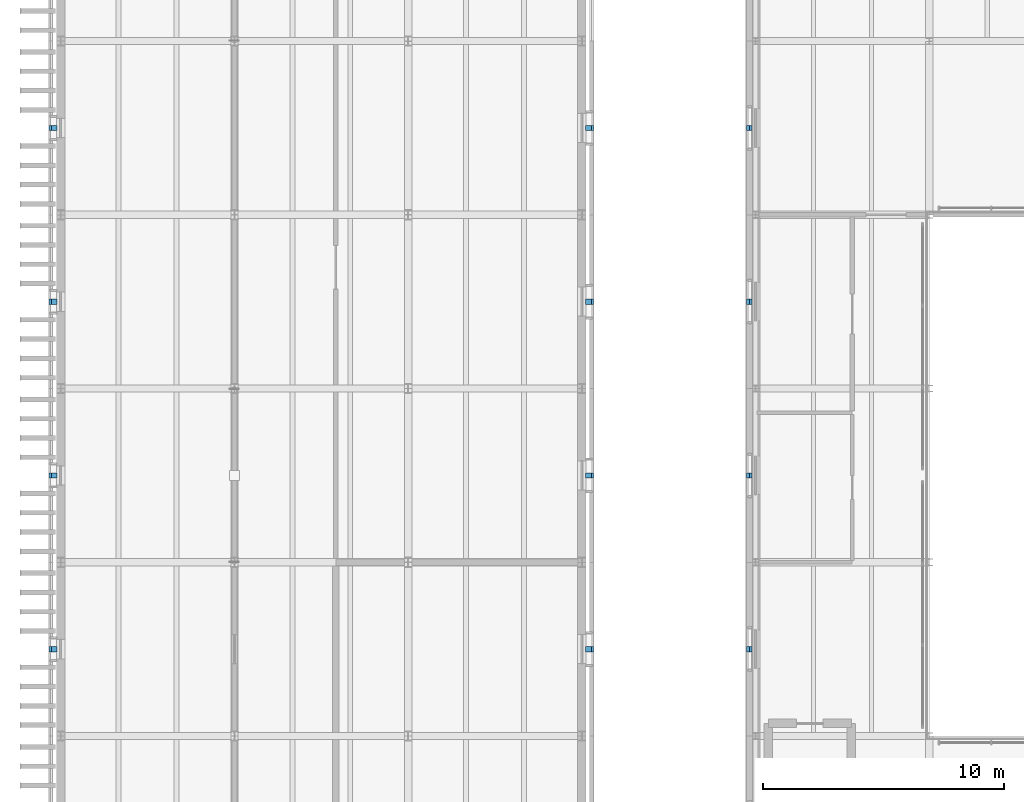
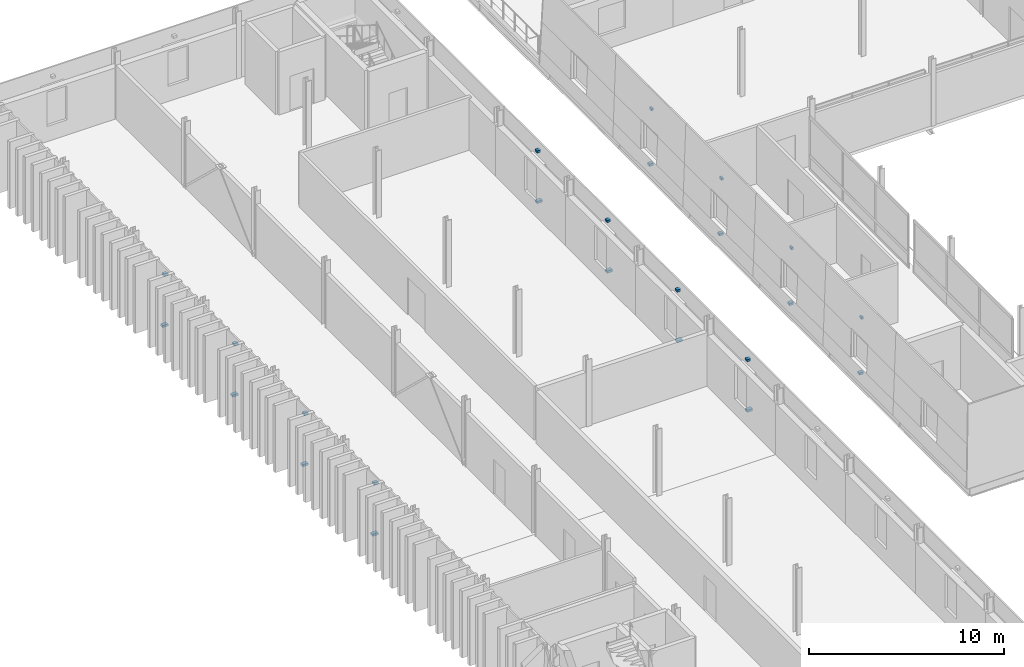
# One storey, part 53 of 66: 24 discrete accessories.
"""IFC4 building model written with IfcOpenShell, lengths in metres."""

from ifc_helpers import new_model, si_unit, direction, frame, origin, origin_2d, place, context, subcontext, project, spatial, rectangle, extrude, material, layer, layer_set, type_object, element, save


model = new_model("IFC4")

# Units and contexts
model_context = context("Model", 3, precision=1e-05, world=origin(), true_north=direction((0.0, 1.0)))
body_context = subcontext(model_context, "Body", "Model", "MODEL_VIEW")
ifc_project = project(units=[si_unit("LENGTHUNIT", "METRE"), si_unit("AREAUNIT", "SQUARE_METRE"), si_unit("VOLUMEUNIT", "CUBIC_METRE"), si_unit("PLANEANGLEUNIT", "RADIAN"), si_unit("MASSUNIT", "GRAM", prefix="KILO")], contexts=[model_context])

# Site, building, storey
site_placement = place(None, origin())
site = spatial("IfcSite", under=ifc_project, at=site_placement, CompositionType="ELEMENT")
building_placement = place(site_placement, origin())
building = spatial("IfcBuilding", under=site, at=building_placement, Name="Narikvali Park Central Library", CompositionType="ELEMENT")
storey_placement = place(building_placement, frame((0.0, 0.0, 18.60009765625)))
storey = spatial("IfcBuildingStorey", under=building, at=storey_placement, Name="L04", CompositionType="ELEMENT", Elevation=18.60009765625)

# Discrete accessories
ifc_material = material(Name="Brushed Stainless Steel S355", Category="steel")
ifc_layer = layer(ifc_material, 0.139892578125, Name="Brushed Stainless Steel S355")
ifc_layer_set = layer_set([ifc_layer], Name="Brushed Stainless Steel S355")
discrete_accessory_type = type_object("IfcDiscreteAccessoryType", Name="Cladding Stainless Tie-Back Corbel Bracket", PredefinedType="BRACKET", material=ifc_layer_set)
discrete_accessory_1_placement = place(storey_placement, frame((28.5361328125, 90.0, 0.40478515625), z_axis=(0.0, 0.0, 1.0), x_axis=(1.0, 0.0, 0.0)))
element("IfcDiscreteAccessory", 1, at=discrete_accessory_1_placement, inside=storey, type_object=discrete_accessory_type, Name="Limestone Cladding Tie-Back Bracket V4-CLD-L04-W-B02-SP", PredefinedType="BRACKET", context=body_context, shape_type="SweptSolid", body=[
    extrude(rectangle(XDim=0.2275390625, YDim=0.219970703125, at=origin_2d()), origin(), (0.0, 0.0, 1.0), 0.139892578125),
])
discrete_accessory_2_placement = place(storey_placement, frame((28.594482421875, 90.0, 3.85498046875), z_axis=(0.0, 0.0, 1.0), x_axis=(1.0, 0.0, 0.0)))
element("IfcDiscreteAccessory", 2, at=discrete_accessory_2_placement, inside=storey, type_object=discrete_accessory_type, Name="Limestone Cladding Tie-Back Bracket V4-CLD-L04-W-B02-LN", PredefinedType="BRACKET", context=body_context, shape_type="SweptSolid", body=[
    extrude(rectangle(XDim=0.111083984375, YDim=0.219970703125, at=origin_2d()), origin(), (0.0, 0.0, 1.0), 0.139892578125),
])
discrete_accessory_3_placement = place(storey_placement, frame((28.5361328125, 82.800048828125, 0.40478515625), z_axis=(0.0, 0.0, 1.0), x_axis=(1.0, 0.0, 0.0)))
element("IfcDiscreteAccessory", 3, at=discrete_accessory_3_placement, inside=storey, type_object=discrete_accessory_type, Name="Limestone Cladding Tie-Back Bracket V4-CLD-L04-W-B03-SP", PredefinedType="BRACKET", context=body_context, shape_type="SweptSolid", body=[
    extrude(rectangle(XDim=0.2275390625, YDim=0.219970703125, at=origin_2d()), origin(), (0.0, 0.0, 1.0), 0.139892578125),
])
discrete_accessory_4_placement = place(storey_placement, frame((28.594482421875, 82.800048828125, 3.85498046875), z_axis=(0.0, 0.0, 1.0), x_axis=(1.0, 0.0, 0.0)))
element("IfcDiscreteAccessory", 4, at=discrete_accessory_4_placement, inside=storey, type_object=discrete_accessory_type, Name="Limestone Cladding Tie-Back Bracket V4-CLD-L04-W-B03-LN", PredefinedType="BRACKET", context=body_context, shape_type="SweptSolid", body=[
    extrude(rectangle(XDim=0.111083984375, YDim=0.219970703125, at=origin_2d()), origin(), (0.0, 0.0, 1.0), 0.139892578125),
])
discrete_accessory_5_placement = place(storey_placement, frame((28.5361328125, 75.60009765625, 0.40478515625), z_axis=(0.0, 0.0, 1.0), x_axis=(1.0, 0.0, 0.0)))
element("IfcDiscreteAccessory", 5, at=discrete_accessory_5_placement, inside=storey, type_object=discrete_accessory_type, Name="Limestone Cladding Tie-Back Bracket V4-CLD-L04-W-B04-SP", PredefinedType="BRACKET", context=body_context, shape_type="SweptSolid", body=[
    extrude(rectangle(XDim=0.2275390625, YDim=0.219970703125, at=origin_2d()), origin(), (0.0, 0.0, 1.0), 0.139892578125),
])
discrete_accessory_6_placement = place(storey_placement, frame((28.594482421875, 75.60009765625, 3.85498046875), z_axis=(0.0, 0.0, 1.0), x_axis=(1.0, 0.0, 0.0)))
element("IfcDiscreteAccessory", 6, at=discrete_accessory_6_placement, inside=storey, type_object=discrete_accessory_type, Name="Limestone Cladding Tie-Back Bracket V4-CLD-L04-W-B04-LN", PredefinedType="BRACKET", context=body_context, shape_type="SweptSolid", body=[
    extrude(rectangle(XDim=0.111083984375, YDim=0.219970703125, at=origin_2d()), origin(), (0.0, 0.0, 1.0), 0.139892578125),
])
discrete_accessory_7_placement = place(storey_placement, frame((28.5361328125, 68.39990234375, 0.40478515625), z_axis=(0.0, 0.0, 1.0), x_axis=(1.0, 0.0, 0.0)))
element("IfcDiscreteAccessory", 7, at=discrete_accessory_7_placement, inside=storey, type_object=discrete_accessory_type, Name="Limestone Cladding Tie-Back Bracket V4-CLD-L04-W-B05-SP", PredefinedType="BRACKET", context=body_context, shape_type="SweptSolid", body=[
    extrude(rectangle(XDim=0.2275390625, YDim=0.219970703125, at=origin_2d()), origin(), (0.0, 0.0, 1.0), 0.139892578125),
])
discrete_accessory_8_placement = place(storey_placement, frame((28.594482421875, 68.39990234375, 3.85498046875), z_axis=(0.0, 0.0, 1.0), x_axis=(1.0, 0.0, 0.0)))
element("IfcDiscreteAccessory", 8, at=discrete_accessory_8_placement, inside=storey, type_object=discrete_accessory_type, Name="Limestone Cladding Tie-Back Bracket V4-CLD-L04-W-B05-LN", PredefinedType="BRACKET", context=body_context, shape_type="SweptSolid", body=[
    extrude(rectangle(XDim=0.111083984375, YDim=0.219970703125, at=origin_2d()), origin(), (0.0, 0.0, 1.0), 0.139892578125),
])
discrete_accessory_9_placement = place(storey_placement, frame((21.914306640625, 68.39990234375, 0.40478515625), z_axis=(0.0, 0.0, 1.0), x_axis=(1.0, 0.0, 0.0)))
element("IfcDiscreteAccessory", 9, at=discrete_accessory_9_placement, inside=storey, type_object=discrete_accessory_type, Name="Limestone Cladding Tie-Back Bracket V5-CLD-L04-E-B05-SP", PredefinedType="BRACKET", context=body_context, shape_type="SweptSolid", body=[
    extrude(rectangle(XDim=0.328857421875, YDim=0.219970703125, at=origin_2d()), origin(), (0.0, 0.0, 1.0), 0.139892578125),
])
discrete_accessory_10_placement = place(storey_placement, frame((21.869384765625, 68.39990234375, 3.580078125), z_axis=(0.0, 0.0, 1.0), x_axis=(1.0, 0.0, 0.0)))
element("IfcDiscreteAccessory", 10, at=discrete_accessory_10_placement, inside=storey, type_object=discrete_accessory_type, Name="Limestone Cladding Tie-Back Bracket V5-CLD-L04-E-B05-LN", PredefinedType="BRACKET", context=body_context, shape_type="SweptSolid", body=[
    extrude(rectangle(XDim=0.23876953125, YDim=0.219970703125, at=origin_2d()), origin(), (0.0, 0.0, 1.0), 0.139892578125),
])
discrete_accessory_11_placement = place(storey_placement, frame((21.914306640625, 75.60009765625, 0.40478515625), z_axis=(0.0, 0.0, 1.0), x_axis=(1.0, 0.0, 0.0)))
element("IfcDiscreteAccessory", 11, at=discrete_accessory_11_placement, inside=storey, type_object=discrete_accessory_type, Name="Limestone Cladding Tie-Back Bracket V5-CLD-L04-E-B06-SP", PredefinedType="BRACKET", context=body_context, shape_type="SweptSolid", body=[
    extrude(rectangle(XDim=0.328857421875, YDim=0.219970703125, at=origin_2d()), origin(), (0.0, 0.0, 1.0), 0.139892578125),
])
discrete_accessory_12_placement = place(storey_placement, frame((21.869384765625, 75.60009765625, 3.580078125), z_axis=(0.0, 0.0, 1.0), x_axis=(1.0, 0.0, 0.0)))
element("IfcDiscreteAccessory", 12, at=discrete_accessory_12_placement, inside=storey, type_object=discrete_accessory_type, Name="Limestone Cladding Tie-Back Bracket V5-CLD-L04-E-B06-LN", PredefinedType="BRACKET", context=body_context, shape_type="SweptSolid", body=[
    extrude(rectangle(XDim=0.23876953125, YDim=0.219970703125, at=origin_2d()), origin(), (0.0, 0.0, 1.0), 0.139892578125),
])
discrete_accessory_13_placement = place(storey_placement, frame((21.914306640625, 82.800048828125, 0.40478515625), z_axis=(0.0, 0.0, 1.0), x_axis=(1.0, 0.0, 0.0)))
element("IfcDiscreteAccessory", 13, at=discrete_accessory_13_placement, inside=storey, type_object=discrete_accessory_type, Name="Limestone Cladding Tie-Back Bracket V5-CLD-L04-E-B07-SP", PredefinedType="BRACKET", context=body_context, shape_type="SweptSolid", body=[
    extrude(rectangle(XDim=0.328857421875, YDim=0.219970703125, at=origin_2d()), origin(), (0.0, 0.0, 1.0), 0.139892578125),
])
discrete_accessory_14_placement = place(storey_placement, frame((21.869384765625, 82.800048828125, 3.580078125), z_axis=(0.0, 0.0, 1.0), x_axis=(1.0, 0.0, 0.0)))
element("IfcDiscreteAccessory", 14, at=discrete_accessory_14_placement, inside=storey, type_object=discrete_accessory_type, Name="Limestone Cladding Tie-Back Bracket V5-CLD-L04-E-B07-LN", PredefinedType="BRACKET", context=body_context, shape_type="SweptSolid", body=[
    extrude(rectangle(XDim=0.23876953125, YDim=0.219970703125, at=origin_2d()), origin(), (0.0, 0.0, 1.0), 0.139892578125),
])
discrete_accessory_15_placement = place(storey_placement, frame((21.914306640625, 90.0, 0.40478515625), z_axis=(0.0, 0.0, 1.0), x_axis=(1.0, 0.0, 0.0)))
element("IfcDiscreteAccessory", 15, at=discrete_accessory_15_placement, inside=storey, type_object=discrete_accessory_type, Name="Limestone Cladding Tie-Back Bracket V5-CLD-L04-E-B08-SP", PredefinedType="BRACKET", context=body_context, shape_type="SweptSolid", body=[
    extrude(rectangle(XDim=0.328857421875, YDim=0.219970703125, at=origin_2d()), origin(), (0.0, 0.0, 1.0), 0.139892578125),
])
discrete_accessory_16_placement = place(storey_placement, frame((21.869384765625, 90.0, 3.580078125), z_axis=(0.0, 0.0, 1.0), x_axis=(1.0, 0.0, 0.0)))
element("IfcDiscreteAccessory", 16, at=discrete_accessory_16_placement, inside=storey, type_object=discrete_accessory_type, Name="Limestone Cladding Tie-Back Bracket V5-CLD-L04-E-B08-LN", PredefinedType="BRACKET", context=body_context, shape_type="SweptSolid", body=[
    extrude(rectangle(XDim=0.23876953125, YDim=0.219970703125, at=origin_2d()), origin(), (0.0, 0.0, 1.0), 0.139892578125),
])
discrete_accessory_17_placement = place(storey_placement, frame((-0.314453125, 90.0, 0.40478515625), z_axis=(0.0, 0.0, 1.0), x_axis=(1.0, 0.0, 0.0)))
element("IfcDiscreteAccessory", 17, at=discrete_accessory_17_placement, inside=storey, type_object=discrete_accessory_type, Name="Limestone Cladding Tie-Back Bracket V5-CLD-L04-W-B03-SP", PredefinedType="BRACKET", context=body_context, shape_type="SweptSolid", body=[
    extrude(rectangle(XDim=0.328857421875, YDim=0.219970703125, at=origin_2d()), origin(), (0.0, 0.0, 1.0), 0.139892578125),
])
discrete_accessory_18_placement = place(storey_placement, frame((-0.269287109375, 90.0, 3.580078125), z_axis=(0.0, 0.0, 1.0), x_axis=(1.0, 0.0, 0.0)))
element("IfcDiscreteAccessory", 18, at=discrete_accessory_18_placement, inside=storey, type_object=discrete_accessory_type, Name="Limestone Cladding Tie-Back Bracket V5-CLD-L04-W-B03-LN", PredefinedType="BRACKET", context=body_context, shape_type="SweptSolid", body=[
    extrude(rectangle(XDim=0.23876953125, YDim=0.219970703125, at=origin_2d()), origin(), (0.0, 0.0, 1.0), 0.139892578125),
])
discrete_accessory_19_placement = place(storey_placement, frame((-0.314453125, 82.800048828125, 0.40478515625), z_axis=(0.0, 0.0, 1.0), x_axis=(1.0, 0.0, 0.0)))
element("IfcDiscreteAccessory", 19, at=discrete_accessory_19_placement, inside=storey, type_object=discrete_accessory_type, Name="Limestone Cladding Tie-Back Bracket V5-CLD-L04-W-B04-SP", PredefinedType="BRACKET", context=body_context, shape_type="SweptSolid", body=[
    extrude(rectangle(XDim=0.328857421875, YDim=0.219970703125, at=origin_2d()), origin(), (0.0, 0.0, 1.0), 0.139892578125),
])
discrete_accessory_20_placement = place(storey_placement, frame((-0.269287109375, 82.800048828125, 3.580078125), z_axis=(0.0, 0.0, 1.0), x_axis=(1.0, 0.0, 0.0)))
element("IfcDiscreteAccessory", 20, at=discrete_accessory_20_placement, inside=storey, type_object=discrete_accessory_type, Name="Limestone Cladding Tie-Back Bracket V5-CLD-L04-W-B04-LN", PredefinedType="BRACKET", context=body_context, shape_type="SweptSolid", body=[
    extrude(rectangle(XDim=0.23876953125, YDim=0.219970703125, at=origin_2d()), origin(), (0.0, 0.0, 1.0), 0.139892578125),
])
discrete_accessory_21_placement = place(storey_placement, frame((-0.314453125, 75.60009765625, 0.40478515625), z_axis=(0.0, 0.0, 1.0), x_axis=(1.0, 0.0, 0.0)))
element("IfcDiscreteAccessory", 21, at=discrete_accessory_21_placement, inside=storey, type_object=discrete_accessory_type, Name="Limestone Cladding Tie-Back Bracket V5-CLD-L04-W-B05-SP", PredefinedType="BRACKET", context=body_context, shape_type="SweptSolid", body=[
    extrude(rectangle(XDim=0.328857421875, YDim=0.219970703125, at=origin_2d()), origin(), (0.0, 0.0, 1.0), 0.139892578125),
])
discrete_accessory_22_placement = place(storey_placement, frame((-0.269287109375, 75.60009765625, 3.580078125), z_axis=(0.0, 0.0, 1.0), x_axis=(1.0, 0.0, 0.0)))
element("IfcDiscreteAccessory", 22, at=discrete_accessory_22_placement, inside=storey, type_object=discrete_accessory_type, Name="Limestone Cladding Tie-Back Bracket V5-CLD-L04-W-B05-LN", PredefinedType="BRACKET", context=body_context, shape_type="SweptSolid", body=[
    extrude(rectangle(XDim=0.23876953125, YDim=0.219970703125, at=origin_2d()), origin(), (0.0, 0.0, 1.0), 0.139892578125),
])
discrete_accessory_23_placement = place(storey_placement, frame((-0.314453125, 68.39990234375, 0.40478515625), z_axis=(0.0, 0.0, 1.0), x_axis=(1.0, 0.0, 0.0)))
element("IfcDiscreteAccessory", 23, at=discrete_accessory_23_placement, inside=storey, type_object=discrete_accessory_type, Name="Limestone Cladding Tie-Back Bracket V5-CLD-L04-W-B06-SP", PredefinedType="BRACKET", context=body_context, shape_type="SweptSolid", body=[
    extrude(rectangle(XDim=0.328857421875, YDim=0.219970703125, at=origin_2d()), origin(), (0.0, 0.0, 1.0), 0.139892578125),
])
discrete_accessory_24_placement = place(storey_placement, frame((-0.269287109375, 68.39990234375, 3.580078125), z_axis=(0.0, 0.0, 1.0), x_axis=(1.0, 0.0, 0.0)))
element("IfcDiscreteAccessory", 24, at=discrete_accessory_24_placement, inside=storey, type_object=discrete_accessory_type, Name="Limestone Cladding Tie-Back Bracket V5-CLD-L04-W-B06-LN", PredefinedType="BRACKET", context=body_context, shape_type="SweptSolid", body=[
    extrude(rectangle(XDim=0.23876953125, YDim=0.219970703125, at=origin_2d()), origin(), (0.0, 0.0, 1.0), 0.139892578125),
])

save(model, "model.ifc")
